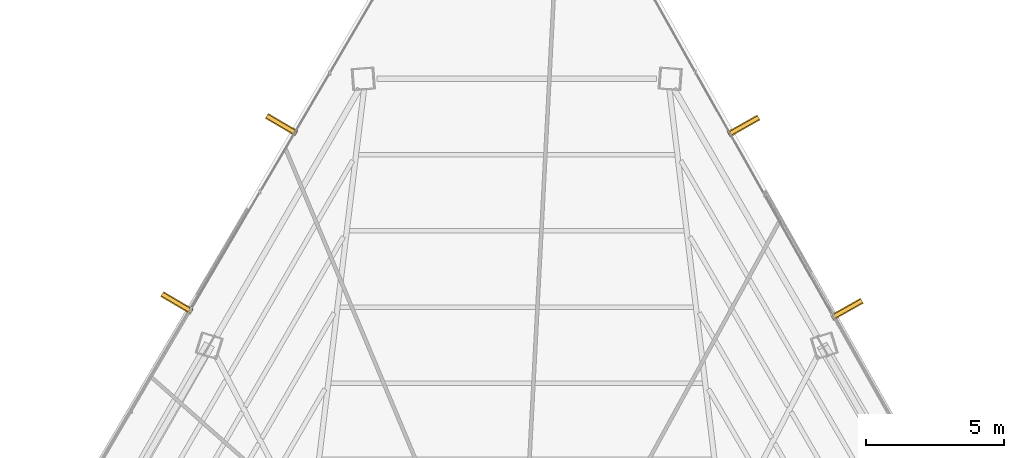
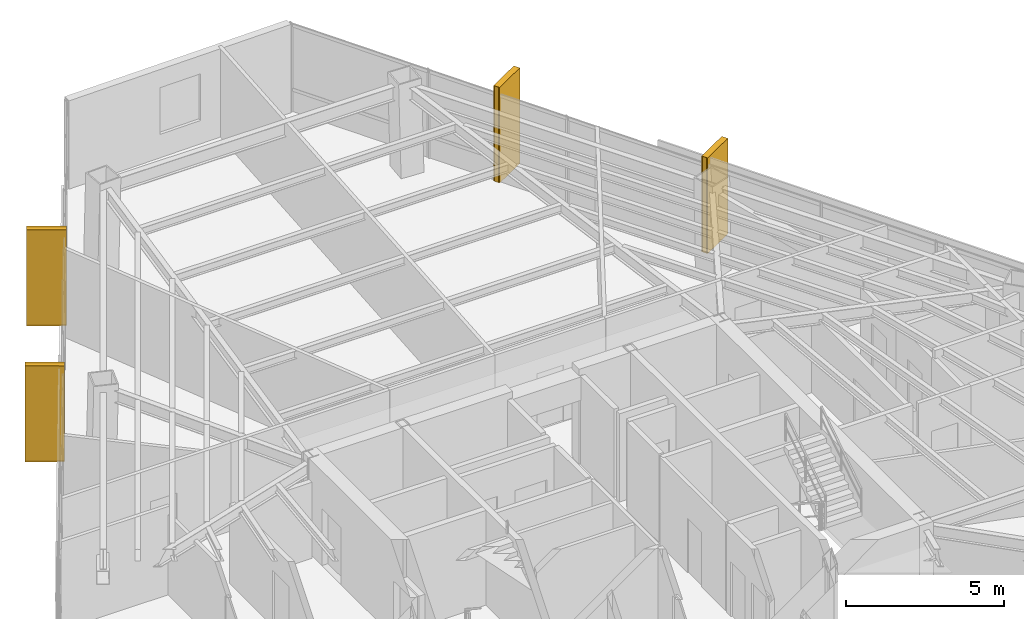
# One storey, part 42 of 42: 4 coverings, 4 shading devices.
"""IFC4 building model written with IfcOpenShell, lengths in metres."""

from ifc_helpers import new_model, si_unit, direction, frame, origin, origin_2d, place, context, subcontext, project, spatial, rectangle, extrude, source, transform, mapped, material, layer, layer_set, type_object, type_shapes, element, save


model = new_model("IFC4")

# Units and contexts
model_context = context("Model", 3, precision=1e-05, world=origin(), true_north=direction((0.0, 1.0)))
body_context = subcontext(model_context, "Body", "Model", "MODEL_VIEW")
ifc_project = project(units=[si_unit("LENGTHUNIT", "METRE"), si_unit("AREAUNIT", "SQUARE_METRE"), si_unit("VOLUMEUNIT", "CUBIC_METRE"), si_unit("PLANEANGLEUNIT", "RADIAN"), si_unit("MASSUNIT", "GRAM", prefix="KILO")], contexts=[model_context])

# Site, building, storey
site_placement = place(None, origin())
site = spatial("IfcSite", under=ifc_project, at=site_placement, CompositionType="ELEMENT")
building_placement = place(site_placement, origin())
building = spatial("IfcBuilding", under=site, at=building_placement, Name="Caelisora Broadcast Tower", CompositionType="ELEMENT")
storey_placement = place(building_placement, frame((0.0, 0.0, 184.050048828125)))
storey = spatial("IfcBuildingStorey", under=building, at=storey_placement, Name="L48", CompositionType="ELEMENT", Elevation=184.050048828125)

# Coverings
ifc_material_1 = material(Name="Kiln-Fired Terracotta Spandrel Rainscreen Cladding", Category="ceramic")
ifc_layer_1 = layer(ifc_material_1, 0.044921875, Name="Kiln-Fired Terracotta Spandrel Rainscreen Cladding")
ifc_layer_set_1 = layer_set([ifc_layer_1], Name="Kiln-Fired Terracotta Spandrel Rainscreen Cladding")
covering_type = type_object("IfcCoveringType", Name="CL-1", PredefinedType="CLADDING", material=ifc_layer_set_1)
shared_shape_1 = source(origin(), body_context, "Body", "SweptSolid", [
    extrude(rectangle(XDim=0.219970703125, YDim=1.25, at=origin_2d()), origin(), (0.0, 0.0, 1.0), 3.68994140625),
])
type_shapes(covering_type, [shared_shape_1])
for number, where, z_axis, x_axis, name in (
    (1, (46.220458984375, 44.8408203125, -0.02001953125), (0.0, 0.0, 1.0), (0.491055801632, -0.871128118983, 0.0), "L48 vertical solar fin cladding #1-1"),
    (2, (49.96435546875, 38.20068359375, -0.02001953125), (0.0, 0.0, 1.0), (0.491055801632, -0.871128118983, 0.0), "L48 vertical solar fin cladding #1-2"),
    (3, (25.689697265625, 38.431396484375, -0.02001953125), (0.0, 0.0, 1.0), (0.506334807353, 0.862336977557, 0.0), "L48 vertical solar fin cladding #3-3"),
    (4, (29.48095703125, 44.888427734375, -0.02001953125), (0.0, 0.0, 1.0), (0.506334807353, 0.862336977557, 0.0), "L48 vertical solar fin cladding #3-4"),
):
    element("IfcCovering", number, at=place(storey_placement, frame(where, z_axis=z_axis, x_axis=x_axis)), inside=storey, type_object=covering_type, Name=name, PredefinedType="CLADDING", context=body_context, shape_type="MappedRepresentation", body=[
        mapped(shared_shape_1, transform((0.0, 0.0, 0.0), scale=1.0)),
    ])

# Shading devices
ifc_material_2 = material(Name="Extruded Terracotta Flaring Colonnade Fin", Category="ceramic")
ifc_layer_2 = layer(ifc_material_2, 0.139892578125, Name="Extruded Terracotta Flaring Colonnade Fin")
ifc_layer_set_2 = layer_set([ifc_layer_2], Name="Extruded Terracotta Flaring Colonnade Fin")
shading_device_type = type_object("IfcShadingDeviceType", Name="FN-1", PredefinedType="USERDEFINED", material=ifc_layer_set_2)
shared_shape_2 = source(origin(), body_context, "Body", "SweptSolid", [
    extrude(rectangle(XDim=0.139892578125, YDim=1.25, at=origin_2d()), origin(), (0.0, 0.0, 1.0), 3.669921875),
])
type_shapes(shading_device_type, [shared_shape_2])
for number, where, z_axis, x_axis, name in (
    (5, (46.220458984375, 44.8408203125, -0.010009765625), (0.0, 0.0, 1.0), (0.491055801632, -0.871128118983, 0.0), "L48 vertical terracotta fin #1-1"),
    (6, (49.96435546875, 38.20068359375, -0.010009765625), (0.0, 0.0, 1.0), (0.491055801632, -0.871128118983, 0.0), "L48 vertical terracotta fin #1-2"),
    (7, (25.689697265625, 38.431396484375, -0.010009765625), (0.0, 0.0, 1.0), (0.506334807353, 0.862336977557, 0.0), "L48 vertical terracotta fin #3-3"),
    (8, (29.48095703125, 44.888427734375, -0.010009765625), (0.0, 0.0, 1.0), (0.506334807353, 0.862336977557, 0.0), "L48 vertical terracotta fin #3-4"),
):
    element("IfcShadingDevice", number, at=place(storey_placement, frame(where, z_axis=z_axis, x_axis=x_axis)), inside=storey, type_object=shading_device_type, Name=name, ObjectType="FIN", PredefinedType="USERDEFINED", context=body_context, shape_type="MappedRepresentation", body=[
        mapped(shared_shape_2, transform((0.0, 0.0, 0.0), scale=1.0)),
    ])

save(model, "model.ifc")
